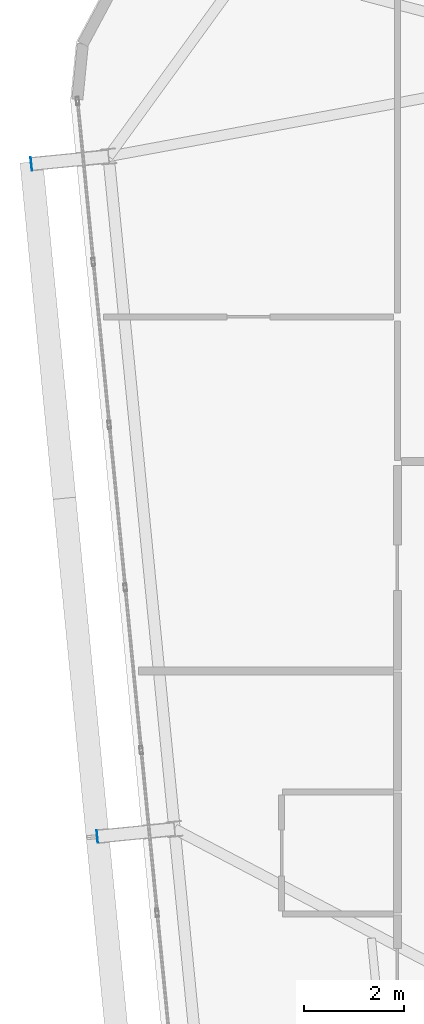
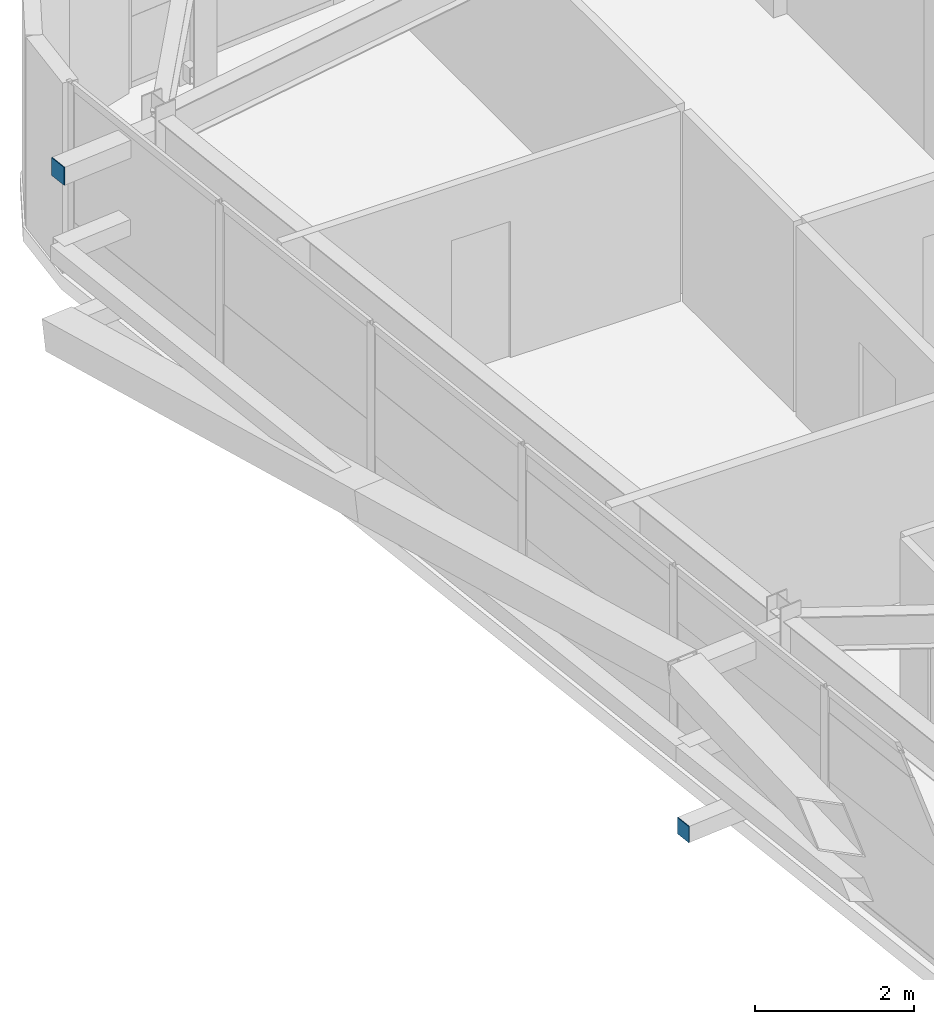
# One storey, part 40 of 54: 2 plates.
"""IFC4 building model written with IfcOpenShell, lengths in metres."""

from ifc_helpers import new_model, si_unit, direction, frame, origin, origin_2d, place, context, subcontext, project, spatial, rectangle, extrude, source, transform, mapped, material, layer, layer_set, type_object, element, save


model = new_model("IFC4")

# Units and contexts
model_context = context("Model", 3, precision=1e-05, world=origin(), true_north=direction((0.0, 1.0)))
body_context = subcontext(model_context, "Body", "Model", "MODEL_VIEW")
ifc_project = project(units=[si_unit("LENGTHUNIT", "METRE"), si_unit("AREAUNIT", "SQUARE_METRE"), si_unit("VOLUMEUNIT", "CUBIC_METRE"), si_unit("PLANEANGLEUNIT", "RADIAN"), si_unit("MASSUNIT", "GRAM", prefix="KILO")], contexts=[model_context])

# Site, building, storey
site_placement = place(None, origin())
site = spatial("IfcSite", under=ifc_project, at=site_placement, CompositionType="ELEMENT")
building_placement = place(site_placement, origin())
building = spatial("IfcBuilding", under=site, at=building_placement, Name="Taldren Reach Tower", CompositionType="ELEMENT")
storey_placement = place(building_placement, frame((0.0, 0.0, 99.75)))
storey = spatial("IfcBuildingStorey", under=building, at=storey_placement, Name="L30", CompositionType="ELEMENT", Elevation=99.75)

# Plates
ifc_material_1 = material(Name="Steel Gr 450 (C450L0)", Category="steel")
ifc_layer_1 = layer(ifc_material_1, 0.011962890625)
ifc_layer_set_1 = layer_set([ifc_layer_1], Name="Steel Gr 450 (C450L0)")
plate_type_1 = type_object("IfcPlateType", Name="PL-CAP-275", PredefinedType="SHEET", material=ifc_layer_set_1)
shared_shape_1 = source(origin(), body_context, "Body", "SweptSolid", [
    extrude(rectangle(XDim=0.011962890625, YDim=0.27490234375, at=origin_2d()), origin(), (0.0, 0.0, 1.0), 0.27490234375),
])
plate_1_placement = place(storey_placement, frame((7.259765625, 29.964599609375, 2.512451171875), z_axis=(0.0, 0.0, 1.0), x_axis=(0.995227399982, 0.097582899759, 0.0)))
element("IfcPlate", 1, at=plate_1_placement, inside=storey, type_object=plate_type_1, Name="Tie strut end cap plate B2-W3 L30", PredefinedType="SHEET", context=body_context, shape_type="MappedRepresentation", body=[
    mapped(shared_shape_1, transform((0.0, 0.0, 0.0), scale=1.0)),
])
ifc_material_2 = material(Name="Steel Gr 350 (C350L0)", Category="steel")
ifc_layer_2 = layer(ifc_material_2, 0.011962890625)
ifc_layer_set_2 = layer_set([ifc_layer_2], Name="Steel Gr 350 (C350L0)")
plate_type_2 = type_object("IfcPlateType", Name="PL-CAP-250", PredefinedType="SHEET", material=ifc_layer_set_2)
shared_shape_2 = source(origin(), body_context, "Body", "SweptSolid", [
    extrude(rectangle(XDim=0.011962890625, YDim=0.25, at=origin_2d()), origin(), (0.0, 0.0, 1.0), 0.25),
])
plate_2_placement = place(storey_placement, frame((8.58203125, 16.479248046875, 0.094970703125), z_axis=(0.0, 0.0, 1.0), x_axis=(0.995227399982, 0.097582899759, 0.0)))
element("IfcPlate", 2, at=plate_2_placement, inside=storey, type_object=plate_type_2, Name="Tie strut end cap plate B2-W2 L30", PredefinedType="SHEET", context=body_context, shape_type="MappedRepresentation", body=[
    mapped(shared_shape_2, transform((0.0, 0.0, 0.0), scale=1.0)),
])

save(model, "model.ifc")
